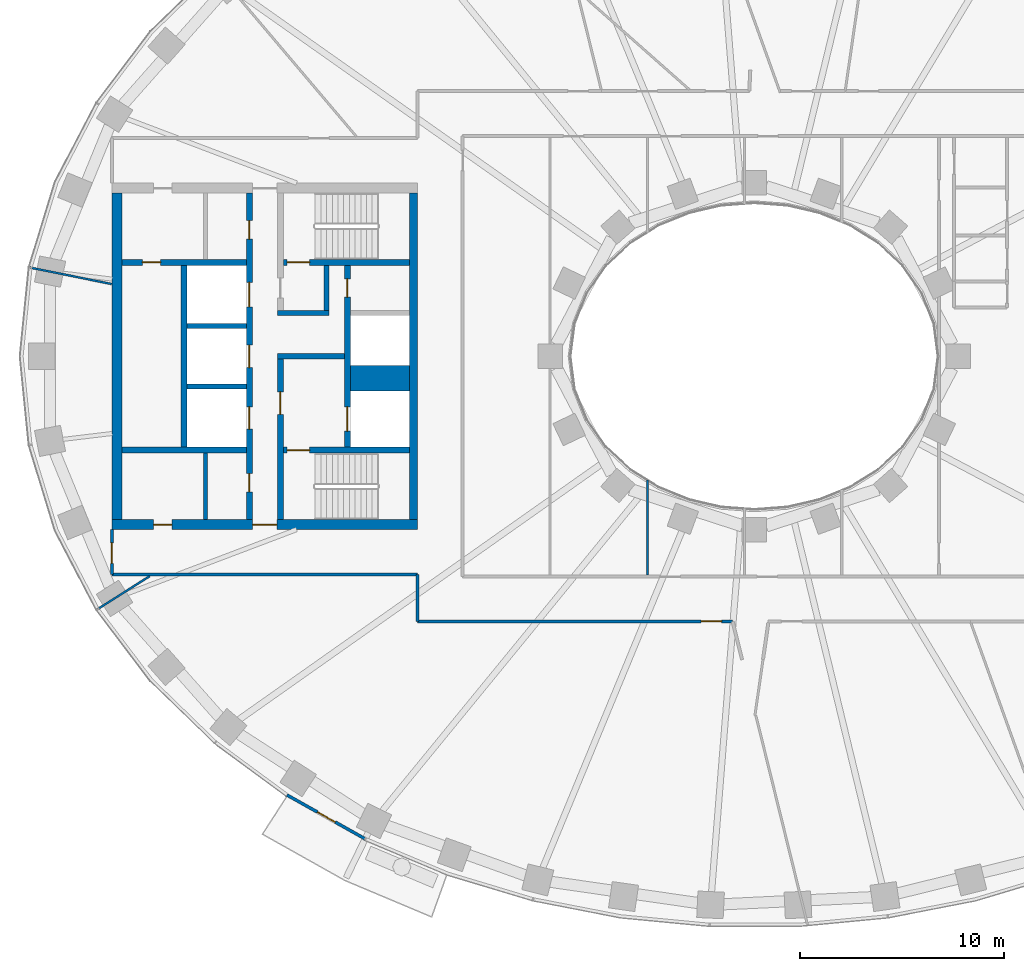
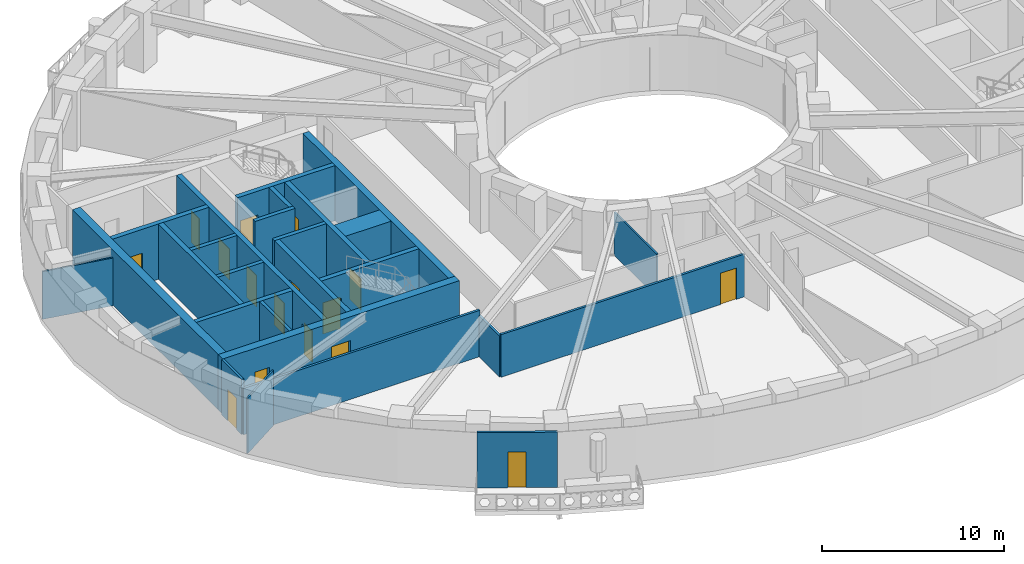
# One storey, part 3 of 15: 26 walls, 16 doors, 16 openings.
"""IFC4 building model written with IfcOpenShell, lengths in metres."""

from ifc_helpers import new_model, si_unit, direction, frame, frame_2d, origin, place, context, subcontext, project, spatial, rectangle, extrude, material, layer, layer_set, type_object, element, fill, save


model = new_model("IFC4")

# Units and contexts
model_context = context("Model", 3, precision=1e-05, world=origin(), true_north=direction((0.0, 1.0)))
body_context = subcontext(model_context, "Body", "Model", "MODEL_VIEW")
ifc_project = project(units=[si_unit("LENGTHUNIT", "METRE"), si_unit("AREAUNIT", "SQUARE_METRE"), si_unit("VOLUMEUNIT", "CUBIC_METRE"), si_unit("PLANEANGLEUNIT", "RADIAN"), si_unit("MASSUNIT", "GRAM", prefix="KILO")], contexts=[model_context])

# Site, building, storey
site_placement = place(None, origin())
site = spatial("IfcSite", under=ifc_project, at=site_placement, CompositionType="ELEMENT")
building_placement = place(site_placement, origin())
building = spatial("IfcBuilding", under=site, at=building_placement, Name="Noorbagh Ring Tower", CompositionType="ELEMENT")
storey_placement = place(building_placement, frame((0.0, 0.0, 104.0)))
storey = spatial("IfcBuildingStorey", under=building, at=storey_placement, Name="L23", CompositionType="ELEMENT", Elevation=104.0)

# Walls
ifc_material_1 = material(Name="Gypsum board on steel studs", Category="steel")
ifc_layer_1 = layer(ifc_material_1, 0.199951171875)
ifc_layer_set_1 = layer_set([ifc_layer_1], Name="Gypsum board on steel studs")
wall_type_1 = type_object("IfcWallType", Name="CORE-PARTITION-200", PredefinedType="PARTITIONING", material=ifc_layer_set_1)
wall_1_placement = place(storey_placement, frame((-26.89990234375, -8.0, 0.0), z_axis=(0.0, 0.0, 1.0), x_axis=(0.0, 1.0, 0.0)))
element("IfcWall", 1, at=wall_1_placement, inside=storey, type_object=wall_type_1, Name="Core partition W", PredefinedType="PARTITIONING", context=body_context, shape_type="SweptSolid", body=[
    extrude(rectangle(XDim=3.25, YDim=0.199951171875, at=frame_2d((1.625, 0.0))), origin(), (0.0, 0.0, 1.0), 3.699951171875),
])
ifc_material_2 = material(Name="Concrete C70/85", Category="concrete")
ifc_layer_2 = layer(ifc_material_2, 1.25)
ifc_layer_set_2 = layer_set([ifc_layer_2], Name="Concrete C70/85")
wall_type_2 = type_object("IfcWallType", Name="CORE-WALL-1250-C70-85-EI120", PredefinedType="SHEAR", material=ifc_layer_set_2)
wall_2_placement = place(storey_placement, frame((-16.89990234375, -1.074951171875, 0.0), z_axis=(0.0, 0.0, 1.0), x_axis=(-1.0, 0.0, 0.0)))
element("IfcWall", 2, at=wall_2_placement, inside=storey, type_object=wall_type_2, Name="Core wall W", PredefinedType="SHEAR", context=body_context, shape_type="SweptSolid", body=[
    extrude(rectangle(XDim=2.900146484375, YDim=1.25, at=frame_2d((1.4501953125, 0.0))), origin(), (0.0, 0.0, 1.0), 3.699951171875),
])
ifc_material_3 = material(Name="Concrete C70/85", Category="concrete")
ifc_layer_3 = layer(ifc_material_3, 0.25)
ifc_layer_set_3 = layer_set([ifc_layer_3], Name="Concrete C70/85")
wall_type_3 = type_object("IfcWallType", Name="CORE-WALL-250-C70-85-EI120", PredefinedType="SHEAR", material=ifc_layer_set_3)
for number, where, z_axis, x_axis, name in (
    (3, (-24.89990234375, -1.47509765625, 0.0), (0.0, 0.0, 1.0), (-1.0, 0.0, 0.0), "Core wall W"),
    (4, (-24.89990234375, 1.47509765625, 0.0), (0.0, 0.0, 1.0), (-1.0, 0.0, 0.0), "Core wall W"),
):
    element("IfcWall", number, at=place(storey_placement, frame(where, z_axis=z_axis, x_axis=x_axis)), inside=storey, type_object=wall_type_3, Name=name, PredefinedType="SHEAR", context=body_context, shape_type="SweptSolid", body=[
        extrude(rectangle(XDim=2.900146484375, YDim=0.25, at=frame_2d((1.4501953125, 0.0))), origin(), (0.0, 0.0, 1.0), 3.699951171875),
    ])
ifc_material_4 = material(Name="Concrete C70/85", Category="concrete")
ifc_layer_4 = layer(ifc_material_4, 0.25)
ifc_layer_set_4 = layer_set([ifc_layer_4], Name="Concrete C70/85")
wall_type_4 = type_object("IfcWallType", Name="CORE-WALL-250-C70-85-EI240", PredefinedType="SHEAR", material=ifc_layer_set_4)
wall_3_placement = place(storey_placement, frame((-20.10009765625, 0.0, 0.0), z_axis=(0.0, 0.0, 1.0), x_axis=(-1.0, 0.0, 0.0)))
element("IfcWall", 5, at=wall_3_placement, inside=storey, type_object=wall_type_4, Name="Core wall W", PredefinedType="SHEAR", context=body_context, shape_type="SweptSolid", body=[
    extrude(rectangle(XDim=3.27978515625, YDim=0.25, at=frame_2d((1.639892578125, 0.0))), origin(), (0.0, 0.0, 1.0), 3.699951171875),
])
wall_4_placement = place(storey_placement, frame((-20.85009765625, 2.125, 0.0), z_axis=(0.0, 0.0, 1.0), x_axis=(-1.0, 0.0, 0.0)))
element("IfcWall", 6, at=wall_4_placement, inside=storey, type_object=wall_type_4, Name="Core wall W", PredefinedType="SHEAR", context=body_context, shape_type="SweptSolid", body=[
    extrude(rectangle(XDim=2.52978515625, YDim=0.25, at=frame_2d((1.264892578125, 0.0))), origin(), (0.0, 0.0, 1.0), 3.699951171875),
])
wall_5_placement = place(storey_placement, frame((-20.97509765625, 2.25, 0.0), z_axis=(0.0, 0.0, 1.0), x_axis=(0.0, 1.0, 0.0)))
element("IfcWall", 7, at=wall_5_placement, inside=storey, type_object=wall_type_4, Name="Core wall W", PredefinedType="SHEAR", context=body_context, shape_type="SweptSolid", body=[
    extrude(rectangle(XDim=2.199951171875, YDim=0.25, at=frame_2d((1.10009765625, 0.0))), origin(), (0.0, 0.0, 1.0), 3.699951171875),
])
ifc_material_5 = material(Name="Concrete C70/85", Category="concrete")
ifc_layer_5 = layer(ifc_material_5, 0.300048828125)
ifc_layer_set_5 = layer_set([ifc_layer_5], Name="Concrete C70/85")
wall_type_5 = type_object("IfcWallType", Name="CORE-WALL-300-C70-85-EI120", PredefinedType="SHEAR", material=ifc_layer_set_5)
wall_6_placement = place(storey_placement, frame((-27.949951171875, -4.449951171875, 0.0), z_axis=(0.0, 0.0, 1.0), x_axis=(0.0, 1.0, 0.0)))
element("IfcWall", 8, at=wall_6_placement, inside=storey, type_object=wall_type_5, Name="Core wall W", PredefinedType="SHEAR", context=body_context, shape_type="SweptSolid", body=[
    extrude(rectangle(XDim=8.89990234375, YDim=0.300048828125, at=frame_2d((4.449951171875, 0.0))), origin(), (0.0, 0.0, 1.0), 3.699951171875),
])

# Wall, openings, doors
wall_7_placement = place(storey_placement, frame((-19.949951171875, -4.449951171875, 0.0), z_axis=(0.0, 0.0, 1.0), x_axis=(0.0, 1.0, 0.0)))
wall_7 = element("IfcWall", 9, at=wall_7_placement, inside=storey, type_object=wall_type_5, Name="Core wall W", PredefinedType="SHEAR", context=body_context, shape_type="SweptSolid", body=[
    extrude(rectangle(XDim=8.89990234375, YDim=0.300048828125, at=frame_2d((4.449951171875, 0.0))), origin(), (0.0, 0.0, 1.0), 3.699951171875),
])
opening_1_placement = place(wall_7_placement, frame((0.77490234375, 0.0, 0.0)))
opening_1 = element("IfcOpeningElement", 10, at=opening_1_placement, cuts=wall_7, Name="Opening L23-CW01", PredefinedType="OPENING", context=body_context, shape_type="SweptSolid", body=[
    extrude(rectangle(XDim=1.199951171875, YDim=2.10009765625, at=frame_2d((0.60009765625, 1.050048828125))), frame((0.0, 0.16015625, 0.0), z_axis=(0.0, -1.0, 0.0), x_axis=(1.0, 0.0, 0.0)), (0.0, 0.0, 1.0), 0.320068359375),
])
opening_2_placement = place(wall_7_placement, frame((7.35009765625, 0.0, 0.0)))
opening_2 = element("IfcOpeningElement", 11, at=opening_2_placement, cuts=wall_7, Name="Opening L23-CW11", PredefinedType="OPENING", context=body_context, shape_type="SweptSolid", body=[
    extrude(rectangle(XDim=0.89990234375, YDim=2.10009765625, at=frame_2d((0.449951171875, 1.050048828125))), frame((0.0, 0.16015625, 0.0), z_axis=(0.0, -1.0, 0.0), x_axis=(1.0, 0.0, 0.0)), (0.0, 0.0, 1.0), 0.320068359375),
])
ifc_material_6 = material(Name="Steel door leaf", Category="steel")
door_type_1 = type_object("IfcDoorType", Name="CORE-DOOR-DROOM", OperationType="SINGLE_SWING_LEFT", PredefinedType="DOOR", material=ifc_material_6)
door_1_placement = place(opening_2_placement, origin())
door_1 = element("IfcDoor", 12, at=door_1_placement, inside=storey, type_object=door_type_1, Name="Core room door L23-CW11", OperationType="SINGLE_SWING_LEFT", OverallHeight=2.10009765625, OverallWidth=0.89990234375, PredefinedType="DOOR", context=body_context, shape_type="SweptSolid", body=[
    extrude(rectangle(XDim=0.89990234375, YDim=2.10009765625, at=frame_2d((0.449951171875, 1.050048828125))), frame((0.0, 0.02490234375, 0.0), z_axis=(0.0, -1.0, 0.0), x_axis=(1.0, 0.0, 0.0)), (0.0, 0.0, 1.0), 0.050048828125),
])
fill(opening_2, door_1)
ifc_material_7 = material(Name="Steel door leaf", Category="steel")
door_type_2 = type_object("IfcDoorType", Name="CORE-DOOR-LDW", OperationType="DOUBLE_DOOR_SLIDING", PredefinedType="DOOR", material=ifc_material_7)
door_2_placement = place(opening_1_placement, origin())
door_2 = element("IfcDoor", 13, at=door_2_placement, inside=storey, type_object=door_type_2, Name="Landing door FF1 L23-CW01", OperationType="DOUBLE_DOOR_SLIDING", OverallHeight=2.10009765625, OverallWidth=1.199951171875, PredefinedType="DOOR", context=body_context, shape_type="SweptSolid", body=[
    extrude(rectangle(XDim=1.199951171875, YDim=2.10009765625, at=frame_2d((0.60009765625, 1.050048828125))), frame((0.0, 0.02490234375, 0.0), z_axis=(0.0, -1.0, 0.0), x_axis=(1.0, 0.0, 0.0)), (0.0, 0.0, 1.0), 0.050048828125),
])
fill(opening_1, door_2)

wall_8_placement = place(storey_placement, frame((-24.75, -8.0, 0.0), z_axis=(0.0, 0.0, 1.0), x_axis=(0.0, 1.0, 0.0)))
wall_8 = element("IfcWall", 14, at=wall_8_placement, inside=storey, type_object=wall_type_5, Name="Core wall W", PredefinedType="SHEAR", context=body_context, shape_type="SweptSolid", body=[
    extrude(rectangle(XDim=16.0, YDim=0.300048828125, at=frame_2d((8.0, 0.0))), origin(), (0.0, 0.0, 1.0), 3.699951171875),
])
opening_3_placement = place(wall_8_placement, frame((4.425048828125, 0.0, 0.0)))
opening_3 = element("IfcOpeningElement", 15, at=opening_3_placement, cuts=wall_8, Name="Opening L23-CW02", PredefinedType="OPENING", context=body_context, shape_type="SweptSolid", body=[
    extrude(rectangle(XDim=1.10009765625, YDim=2.10009765625, at=frame_2d((0.550048828125, 1.050048828125))), frame((0.0, 0.16015625, 0.0), z_axis=(0.0, -1.0, 0.0), x_axis=(1.0, 0.0, 0.0)), (0.0, 0.0, 1.0), 0.320068359375),
])
opening_4_placement = place(wall_8_placement, frame((7.449951171875, 0.0, 0.0)))
opening_4 = element("IfcOpeningElement", 16, at=opening_4_placement, cuts=wall_8, Name="Opening L23-CW03", PredefinedType="OPENING", context=body_context, shape_type="SweptSolid", body=[
    extrude(rectangle(XDim=1.10009765625, YDim=2.10009765625, at=frame_2d((0.550048828125, 1.050048828125))), frame((0.0, 0.16015625, 0.0), z_axis=(0.0, -1.0, 0.0), x_axis=(1.0, 0.0, 0.0)), (0.0, 0.0, 1.0), 0.320068359375),
])
opening_5_placement = place(wall_8_placement, frame((10.425048828125, 0.0, 0.0)))
opening_5 = element("IfcOpeningElement", 17, at=opening_5_placement, cuts=wall_8, Name="Opening L23-CW04", PredefinedType="OPENING", context=body_context, shape_type="SweptSolid", body=[
    extrude(rectangle(XDim=1.199951171875, YDim=2.10009765625, at=frame_2d((0.60009765625, 1.050048828125))), frame((0.0, 0.16015625, 0.0), z_axis=(0.0, -1.0, 0.0), x_axis=(1.0, 0.0, 0.0)), (0.0, 0.0, 1.0), 0.320068359375),
])
opening_6_placement = place(wall_8_placement, frame((13.75, 0.0, 0.0)))
opening_6 = element("IfcOpeningElement", 18, at=opening_6_placement, cuts=wall_8, Name="Opening L23-CW12", PredefinedType="OPENING", context=body_context, shape_type="SweptSolid", body=[
    extrude(rectangle(XDim=0.89990234375, YDim=2.10009765625, at=frame_2d((0.449951171875, 1.050048828125))), frame((0.0, 0.16015625, 0.0), z_axis=(0.0, -1.0, 0.0), x_axis=(1.0, 0.0, 0.0)), (0.0, 0.0, 1.0), 0.320068359375),
])
opening_7_placement = place(wall_8_placement, frame((1.35009765625, 0.0, 0.0)))
opening_7 = element("IfcOpeningElement", 19, at=opening_7_placement, cuts=wall_8, Name="Opening L23-CW14", PredefinedType="OPENING", context=body_context, shape_type="SweptSolid", body=[
    extrude(rectangle(XDim=0.89990234375, YDim=2.10009765625, at=frame_2d((0.449951171875, 1.050048828125))), frame((0.0, 0.16015625, 0.0), z_axis=(0.0, -1.0, 0.0), x_axis=(1.0, 0.0, 0.0)), (0.0, 0.0, 1.0), 0.320068359375),
])
door_3_placement = place(opening_6_placement, origin())
door_3 = element("IfcDoor", 20, at=door_3_placement, inside=storey, type_object=door_type_1, Name="Core room door L23-CW12", OperationType="SINGLE_SWING_RIGHT", OverallHeight=2.10009765625, OverallWidth=0.89990234375, PredefinedType="DOOR", context=body_context, shape_type="SweptSolid", body=[
    extrude(rectangle(XDim=0.89990234375, YDim=2.10009765625, at=frame_2d((0.449951171875, 1.050048828125))), frame((0.0, 0.02490234375, 0.0), z_axis=(0.0, -1.0, 0.0), x_axis=(1.0, 0.0, 0.0)), (0.0, 0.0, 1.0), 0.050048828125),
])
fill(opening_6, door_3)
door_4_placement = place(opening_7_placement, origin())
door_4 = element("IfcDoor", 21, at=door_4_placement, inside=storey, type_object=door_type_1, Name="Core room door L23-CW14", OperationType="SINGLE_SWING_LEFT", OverallHeight=2.10009765625, OverallWidth=0.89990234375, PredefinedType="DOOR", context=body_context, shape_type="SweptSolid", body=[
    extrude(rectangle(XDim=0.89990234375, YDim=2.10009765625, at=frame_2d((0.449951171875, 1.050048828125))), frame((0.0, 0.02490234375, 0.0), z_axis=(0.0, -1.0, 0.0), x_axis=(1.0, 0.0, 0.0)), (0.0, 0.0, 1.0), 0.050048828125),
])
fill(opening_7, door_4)
ifc_material_8 = material(Name="Steel door leaf", Category="steel")
door_type_3 = type_object("IfcDoorType", Name="CORE-DOOR-LD", OperationType="DOUBLE_DOOR_SLIDING", PredefinedType="DOOR", material=ifc_material_8)
door_5_placement = place(opening_3_placement, origin())
door_5 = element("IfcDoor", 22, at=door_5_placement, inside=storey, type_object=door_type_3, Name="Landing door LR1 L23-CW02", OperationType="DOUBLE_DOOR_SLIDING", OverallHeight=2.10009765625, OverallWidth=1.10009765625, PredefinedType="DOOR", context=body_context, shape_type="SweptSolid", body=[
    extrude(rectangle(XDim=1.10009765625, YDim=2.10009765625, at=frame_2d((0.550048828125, 1.050048828125))), frame((0.0, 0.02490234375, 0.0), z_axis=(0.0, -1.0, 0.0), x_axis=(1.0, 0.0, 0.0)), (0.0, 0.0, 1.0), 0.050048828125),
])
fill(opening_3, door_5)
door_6_placement = place(opening_4_placement, origin())
door_6 = element("IfcDoor", 23, at=door_6_placement, inside=storey, type_object=door_type_3, Name="Landing door LR2 L23-CW03", OperationType="DOUBLE_DOOR_SLIDING", OverallHeight=2.10009765625, OverallWidth=1.10009765625, PredefinedType="DOOR", context=body_context, shape_type="SweptSolid", body=[
    extrude(rectangle(XDim=1.10009765625, YDim=2.10009765625, at=frame_2d((0.550048828125, 1.050048828125))), frame((0.0, 0.02490234375, 0.0), z_axis=(0.0, -1.0, 0.0), x_axis=(1.0, 0.0, 0.0)), (0.0, 0.0, 1.0), 0.050048828125),
])
fill(opening_4, door_6)
door_7_placement = place(opening_5_placement, origin())
door_7 = element("IfcDoor", 24, at=door_7_placement, inside=storey, type_object=door_type_2, Name="Landing door SV1 L23-CW04", OperationType="DOUBLE_DOOR_SLIDING", OverallHeight=2.10009765625, OverallWidth=1.199951171875, PredefinedType="DOOR", context=body_context, shape_type="SweptSolid", body=[
    extrude(rectangle(XDim=1.199951171875, YDim=2.10009765625, at=frame_2d((0.60009765625, 1.050048828125))), frame((0.0, 0.02490234375, 0.0), z_axis=(0.0, -1.0, 0.0), x_axis=(1.0, 0.0, 0.0)), (0.0, 0.0, 1.0), 0.050048828125),
])
fill(opening_5, door_7)

# Wall, opening, door
ifc_material_9 = material(Name="Concrete C70/85", Category="concrete")
ifc_layer_6 = layer(ifc_material_9, 0.300048828125)
ifc_layer_set_6 = layer_set([ifc_layer_6], Name="Concrete C70/85")
wall_type_6 = type_object("IfcWallType", Name="CORE-WALL-300-C70-85-EI240", PredefinedType="SHEAR", material=ifc_layer_set_6)
wall_9_placement = place(storey_placement, frame((-24.89990234375, 4.60009765625, 0.0), z_axis=(0.0, 0.0, 1.0), x_axis=(-1.0, 0.0, 0.0)))
wall_9 = element("IfcWall", 25, at=wall_9_placement, inside=storey, type_object=wall_type_6, Name="Core wall W", PredefinedType="SHEAR", context=body_context, shape_type="SweptSolid", body=[
    extrude(rectangle(XDim=6.10009765625, YDim=0.300048828125, at=frame_2d((3.050048828125, 0.0))), origin(), (0.0, 0.0, 1.0), 3.699951171875),
])
opening_8_placement = place(wall_9_placement, frame((4.199951171875, 0.0, 0.0)))
opening_8 = element("IfcOpeningElement", 26, at=opening_8_placement, cuts=wall_9, Name="Opening L23-CW16", PredefinedType="OPENING", context=body_context, shape_type="SweptSolid", body=[
    extrude(rectangle(XDim=0.89990234375, YDim=2.10009765625, at=frame_2d((0.449951171875, 1.050048828125))), frame((0.0, 0.16015625, 0.0), z_axis=(0.0, -1.0, 0.0), x_axis=(1.0, 0.0, 0.0)), (0.0, 0.0, 1.0), 0.320068359375),
])
door_8_placement = place(opening_8_placement, origin())
door_8 = element("IfcDoor", 27, at=door_8_placement, inside=storey, type_object=door_type_1, Name="Core room door L23-CW16", OperationType="SINGLE_SWING_LEFT", OverallHeight=2.10009765625, OverallWidth=0.89990234375, PredefinedType="DOOR", context=body_context, shape_type="SweptSolid", body=[
    extrude(rectangle(XDim=0.89990234375, YDim=2.10009765625, at=frame_2d((0.449951171875, 1.050048828125))), frame((0.0, 0.02490234375, 0.0), z_axis=(0.0, -1.0, 0.0), x_axis=(1.0, 0.0, 0.0)), (0.0, 0.0, 1.0), 0.050048828125),
])
fill(opening_8, door_8)

# Wall
wall_10_placement = place(storey_placement, frame((-24.89990234375, -4.60009765625, 0.0), z_axis=(0.0, 0.0, 1.0), x_axis=(-1.0, 0.0, 0.0)))
element("IfcWall", 28, at=wall_10_placement, inside=storey, type_object=wall_type_6, Name="Core wall W", PredefinedType="SHEAR", context=body_context, shape_type="SweptSolid", body=[
    extrude(rectangle(XDim=6.10009765625, YDim=0.300048828125, at=frame_2d((3.050048828125, 0.0))), origin(), (0.0, 0.0, 1.0), 3.699951171875),
])

# Wall, opening, door
wall_11_placement = place(storey_placement, frame((-23.22998046875, -8.0, 0.0), z_axis=(0.0, 0.0, 1.0), x_axis=(0.0, 1.0, 0.0)))
wall_11 = element("IfcWall", 29, at=wall_11_placement, inside=storey, type_object=wall_type_6, Name="Core wall W", PredefinedType="SHEAR", context=body_context, shape_type="SweptSolid", body=[
    extrude(rectangle(XDim=7.875, YDim=0.300048828125, at=frame_2d((3.9375, 0.0))), origin(), (0.0, 0.0, 1.0), 3.699951171875),
])
opening_9_placement = place(wall_11_placement, frame((5.14990234375, 0.0, 0.0)))
opening_9 = element("IfcOpeningElement", 30, at=opening_9_placement, cuts=wall_11, Name="Opening L23-CW07", PredefinedType="OPENING", context=body_context, shape_type="SweptSolid", body=[
    extrude(rectangle(XDim=1.10009765625, YDim=2.10009765625, at=frame_2d((0.550048828125, 1.050048828125))), frame((0.0, 0.16015625, 0.0), z_axis=(0.0, -1.0, 0.0), x_axis=(1.0, 0.0, 0.0)), (0.0, 0.0, 1.0), 0.320068359375),
])
ifc_material_10 = material(Name="Steel door leaf", Category="steel")
door_type_4 = type_object("IfcDoorType", Name="CORE-DOOR-DFF", OperationType="SINGLE_SWING_LEFT", PredefinedType="DOOR", material=ifc_material_10)
door_9_placement = place(opening_9_placement, origin())
door_9 = element("IfcDoor", 31, at=door_9_placement, inside=storey, type_object=door_type_4, Name="Firefighting lobby door L23-CW07", OperationType="SINGLE_SWING_LEFT", OverallHeight=2.10009765625, OverallWidth=1.10009765625, PredefinedType="DOOR", context=body_context, shape_type="SweptSolid", body=[
    extrude(rectangle(XDim=1.10009765625, YDim=2.10009765625, at=frame_2d((0.550048828125, 1.050048828125))), frame((0.0, 0.02490234375, 0.0), z_axis=(0.0, -1.0, 0.0), x_axis=(1.0, 0.0, 0.0)), (0.0, 0.0, 1.0), 0.050048828125),
])
fill(opening_9, door_9)

wall_12_placement = place(storey_placement, frame((-16.89990234375, 4.60009765625, 0.0), z_axis=(0.0, 0.0, 1.0), x_axis=(-1.0, 0.0, 0.0)))
wall_12 = element("IfcWall", 32, at=wall_12_placement, inside=storey, type_object=wall_type_6, Name="Core wall W", PredefinedType="SHEAR", context=body_context, shape_type="SweptSolid", body=[
    extrude(rectangle(XDim=6.18017578125, YDim=0.300048828125, at=frame_2d((3.090087890625, 0.0))), origin(), (0.0, 0.0, 1.0), 3.699951171875),
])
opening_10_placement = place(wall_12_placement, frame((4.89990234375, 0.0, 0.0)))
opening_10 = element("IfcOpeningElement", 33, at=opening_10_placement, cuts=wall_12, Name="Opening L23-CW05", PredefinedType="OPENING", context=body_context, shape_type="SweptSolid", body=[
    extrude(rectangle(XDim=1.10009765625, YDim=2.10009765625, at=frame_2d((0.550048828125, 1.050048828125))), frame((0.0, 0.16015625, 0.0), z_axis=(0.0, -1.0, 0.0), x_axis=(1.0, 0.0, 0.0)), (0.0, 0.0, 1.0), 0.320068359375),
])
ifc_material_11 = material(Name="Steel door leaf", Category="steel")
door_type_5 = type_object("IfcDoorType", Name="CORE-DOOR-DSTAIR", OperationType="SINGLE_SWING_LEFT", PredefinedType="DOOR", material=ifc_material_11)
door_10_placement = place(opening_10_placement, origin())
door_10 = element("IfcDoor", 34, at=door_10_placement, inside=storey, type_object=door_type_5, Name="Stair door ST1 L23-CW05", OperationType="SINGLE_SWING_RIGHT", OverallHeight=2.10009765625, OverallWidth=1.10009765625, PredefinedType="DOOR", context=body_context, shape_type="SweptSolid", body=[
    extrude(rectangle(XDim=1.10009765625, YDim=2.10009765625, at=frame_2d((0.550048828125, 1.050048828125))), frame((0.0, 0.02490234375, 0.0), z_axis=(0.0, -1.0, 0.0), x_axis=(1.0, 0.0, 0.0)), (0.0, 0.0, 1.0), 0.050048828125),
])
fill(opening_10, door_10)

wall_13_placement = place(storey_placement, frame((-16.89990234375, -4.60009765625, 0.0), z_axis=(0.0, 0.0, 1.0), x_axis=(-1.0, 0.0, 0.0)))
wall_13 = element("IfcWall", 35, at=wall_13_placement, inside=storey, type_object=wall_type_6, Name="Core wall W", PredefinedType="SHEAR", context=body_context, shape_type="SweptSolid", body=[
    extrude(rectangle(XDim=6.18017578125, YDim=0.300048828125, at=frame_2d((3.090087890625, 0.0))), origin(), (0.0, 0.0, 1.0), 3.699951171875),
])
opening_11_placement = place(wall_13_placement, frame((4.89990234375, 0.0, 0.0)))
opening_11 = element("IfcOpeningElement", 36, at=opening_11_placement, cuts=wall_13, Name="Opening L23-CW06", PredefinedType="OPENING", context=body_context, shape_type="SweptSolid", body=[
    extrude(rectangle(XDim=1.10009765625, YDim=2.10009765625, at=frame_2d((0.550048828125, 1.050048828125))), frame((0.0, 0.16015625, 0.0), z_axis=(0.0, -1.0, 0.0), x_axis=(1.0, 0.0, 0.0)), (0.0, 0.0, 1.0), 0.320068359375),
])
door_11_placement = place(opening_11_placement, origin())
door_11 = element("IfcDoor", 37, at=door_11_placement, inside=storey, type_object=door_type_5, Name="Stair door ST2 L23-CW06", OperationType="SINGLE_SWING_LEFT", OverallHeight=2.10009765625, OverallWidth=1.10009765625, PredefinedType="DOOR", context=body_context, shape_type="SweptSolid", body=[
    extrude(rectangle(XDim=1.10009765625, YDim=2.10009765625, at=frame_2d((0.550048828125, 1.050048828125))), frame((0.0, 0.02490234375, 0.0), z_axis=(0.0, -1.0, 0.0), x_axis=(1.0, 0.0, 0.0)), (0.0, 0.0, 1.0), 0.050048828125),
])
fill(opening_11, door_11)

# Wall
ifc_material_12 = material(Name="Concrete C70/85", Category="concrete")
ifc_layer_7 = layer(ifc_material_12, 0.39990234375)
ifc_layer_set_7 = layer_set([ifc_layer_7], Name="Concrete C70/85")
wall_type_7 = type_object("IfcWallType", Name="CORE-WALL-400-C70-85-EI240", PredefinedType="SHEAR", material=ifc_layer_set_7)
wall_14_placement = place(storey_placement, frame((-16.699951171875, -8.0, 0.0), z_axis=(0.0, 0.0, 1.0), x_axis=(0.0, 1.0, 0.0)))
element("IfcWall", 38, at=wall_14_placement, inside=storey, type_object=wall_type_7, Name="Core wall W", PredefinedType="SHEAR", context=body_context, shape_type="SweptSolid", body=[
    extrude(rectangle(XDim=16.0, YDim=0.39990234375, at=frame_2d((8.0, 0.0))), origin(), (0.0, 0.0, 1.0), 3.699951171875),
])

# Wall, openings, doors
ifc_material_13 = material(Name="Concrete C70/85", Category="concrete")
ifc_layer_8 = layer(ifc_material_13, 0.5)
ifc_layer_set_8 = layer_set([ifc_layer_8], Name="Concrete C70/85")
wall_type_8 = type_object("IfcWallType", Name="CORE-WALL-500-C70-85-EI240", PredefinedType="SHEAR", material=ifc_layer_set_8)
wall_15_placement = place(storey_placement, frame((-16.5, -8.25, 0.0), z_axis=(0.0, 0.0, 1.0), x_axis=(-1.0, 0.0, 0.0)))
wall_15 = element("IfcWall", 39, at=wall_15_placement, inside=storey, type_object=wall_type_8, Name="Core wall W", PredefinedType="SHEAR", context=body_context, shape_type="SweptSolid", body=[
    extrude(rectangle(XDim=15.0, YDim=0.5, at=frame_2d((7.5, 0.0))), origin(), (0.0, 0.0, 1.0), 3.699951171875),
])
opening_12_placement = place(wall_15_placement, frame((6.89990234375, 0.0, 0.0)))
opening_12 = element("IfcOpeningElement", 40, at=opening_12_placement, cuts=wall_15, Name="Opening L23-CW10", PredefinedType="OPENING", context=body_context, shape_type="SweptSolid", body=[
    extrude(rectangle(XDim=1.199951171875, YDim=2.10009765625, at=frame_2d((0.60009765625, 1.050048828125))), frame((0.0, 0.260009765625, 0.0), z_axis=(0.0, -1.0, 0.0), x_axis=(1.0, 0.0, 0.0)), (0.0, 0.0, 1.0), 0.52001953125),
])
opening_13_placement = place(wall_15_placement, frame((12.050048828125, 0.0, 0.0)))
opening_13 = element("IfcOpeningElement", 41, at=opening_13_placement, cuts=wall_15, Name="Opening L23-CW15", PredefinedType="OPENING", context=body_context, shape_type="SweptSolid", body=[
    extrude(rectangle(XDim=0.89990234375, YDim=2.10009765625, at=frame_2d((0.449951171875, 1.050048828125))), frame((0.0, 0.260009765625, 0.0), z_axis=(0.0, -1.0, 0.0), x_axis=(1.0, 0.0, 0.0)), (0.0, 0.0, 1.0), 0.52001953125),
])
door_12_placement = place(opening_13_placement, origin())
door_12 = element("IfcDoor", 42, at=door_12_placement, inside=storey, type_object=door_type_1, Name="Core room door L23-CW15", OperationType="SINGLE_SWING_LEFT", OverallHeight=2.10009765625, OverallWidth=0.89990234375, PredefinedType="DOOR", context=body_context, shape_type="SweptSolid", body=[
    extrude(rectangle(XDim=0.89990234375, YDim=2.10009765625, at=frame_2d((0.449951171875, 1.050048828125))), frame((0.0, 0.02490234375, 0.0), z_axis=(0.0, -1.0, 0.0), x_axis=(1.0, 0.0, 0.0)), (0.0, 0.0, 1.0), 0.050048828125),
])
fill(opening_13, door_12)
ifc_material_14 = material(Name="Steel door leaf", Category="steel")
door_type_6 = type_object("IfcDoorType", Name="CORE-DOOR-PORT", OperationType="DOUBLE_DOOR_DOUBLE_SWING", PredefinedType="DOOR", material=ifc_material_14)
door_13_placement = place(opening_12_placement, origin())
door_13 = element("IfcDoor", 43, at=door_13_placement, inside=storey, type_object=door_type_6, Name="Core entrance door L23-CW10", OperationType="DOUBLE_DOOR_DOUBLE_SWING", OverallHeight=2.10009765625, OverallWidth=1.199951171875, PredefinedType="DOOR", context=body_context, shape_type="SweptSolid", body=[
    extrude(rectangle(XDim=1.199951171875, YDim=2.10009765625, at=frame_2d((0.60009765625, 1.050048828125))), frame((0.0, 0.02490234375, 0.0), z_axis=(0.0, -1.0, 0.0), x_axis=(1.0, 0.0, 0.0)), (0.0, 0.0, 1.0), 0.050048828125),
])
fill(opening_12, door_13)

# Wall
wall_16_placement = place(storey_placement, frame((-31.25, -8.0, 0.0), z_axis=(0.0, 0.0, 1.0), x_axis=(0.0, 1.0, 0.0)))
element("IfcWall", 44, at=wall_16_placement, inside=storey, type_object=wall_type_8, Name="Core wall W", PredefinedType="SHEAR", context=body_context, shape_type="SweptSolid", body=[
    extrude(rectangle(XDim=16.0, YDim=0.5, at=frame_2d((8.0, 0.0))), origin(), (0.0, 0.0, 1.0), 3.699951171875),
])

# Wall, opening, door
ifc_material_15 = material(Name="Gypsum board on steel studs", Category="steel")
ifc_layer_9 = layer(ifc_material_15, 0.14990234375)
ifc_layer_set_9 = layer_set([ifc_layer_9], Name="Gypsum board on steel studs")
wall_type_9 = type_object("IfcWallType", Name="CORRIDOR PARTITION 150 EI 30", PredefinedType="PARTITIONING", material=ifc_layer_set_9)
wall_17_placement = place(storey_placement, frame((-31.5, -10.699951171875, 0.0), z_axis=(0.0, 0.0, 1.0), x_axis=(0.0, 1.0, 0.0)))
wall_17 = element("IfcWall", 45, at=wall_17_placement, inside=storey, type_object=wall_type_9, Name="L23/wall/P03", PredefinedType="PARTITIONING", context=body_context, shape_type="SweptSolid", body=[
    extrude(rectangle(XDim=2.199951171875, YDim=0.14990234375, at=frame_2d((1.10009765625, 0.0))), origin(), (0.0, 0.0, 1.0), 3.699951171875),
])
opening_14_placement = place(wall_17_placement, frame((0.550048828125, 0.0, 0.0)))
opening_14 = element("IfcOpeningElement", 46, at=opening_14_placement, cuts=wall_17, Name="Opening D1", PredefinedType="OPENING", context=body_context, shape_type="SweptSolid", body=[
    extrude(rectangle(XDim=1.0, YDim=2.10009765625, at=frame_2d((0.5, 1.050048828125))), frame((0.0, 0.0849609375, 0.0), z_axis=(0.0, -1.0, 0.0), x_axis=(1.0, 0.0, 0.0)), (0.0, 0.0, 1.0), 0.169921875),
])
ifc_material_16 = material(Name="Timber, painted", Category="wood")
door_type_7 = type_object("IfcDoorType", Name="DOOR 1000 X 2100 FD30", OperationType="SINGLE_SWING_LEFT", PredefinedType="DOOR", material=ifc_material_16)
door_14_placement = place(opening_14_placement, origin())
door_14 = element("IfcDoor", 47, at=door_14_placement, inside=storey, type_object=door_type_7, Name="L23-D06", OperationType="SINGLE_SWING_RIGHT", OverallHeight=2.10009765625, OverallWidth=1.0, PredefinedType="DOOR", context=body_context, shape_type="SweptSolid", body=[
    extrude(rectangle(XDim=1.0, YDim=2.10009765625, at=frame_2d((0.5, 1.050048828125))), frame((0.0, 0.02490234375, 0.0), z_axis=(0.0, -1.0, 0.0), x_axis=(1.0, 0.0, 0.0)), (0.0, 0.0, 1.0), 0.050048828125),
])
fill(opening_14, door_14)

# Walls
wall_18_placement = place(storey_placement, frame((-31.5, -10.699951171875, 0.0), z_axis=(0.0, 0.0, 1.0), x_axis=(1.0, 0.0, 0.0)))
element("IfcWall", 48, at=wall_18_placement, inside=storey, type_object=wall_type_9, Name="L23/wall/P04", PredefinedType="PARTITIONING", context=body_context, shape_type="SweptSolid", body=[
    extrude(rectangle(XDim=15.0, YDim=0.14990234375, at=frame_2d((7.5, 0.0))), origin(), (0.0, 0.0, 1.0), 3.10009765625),
])
wall_19_placement = place(storey_placement, frame((-16.5, -13.0, 0.0), z_axis=(0.0, 0.0, 1.0), x_axis=(0.0, 1.0, 0.0)))
element("IfcWall", 49, at=wall_19_placement, inside=storey, type_object=wall_type_9, Name="L23/wall/P08", PredefinedType="PARTITIONING", context=body_context, shape_type="SweptSolid", body=[
    extrude(rectangle(XDim=2.300048828125, YDim=0.14990234375, at=frame_2d((1.14990234375, 0.0))), origin(), (0.0, 0.0, 1.0), 2.75),
])

# Wall, opening, door
wall_20_placement = place(storey_placement, frame((-16.5, -13.0, 0.0), z_axis=(0.0, 0.0, 1.0), x_axis=(1.0, 0.0, 0.0)))
wall_20 = element("IfcWall", 50, at=wall_20_placement, inside=storey, type_object=wall_type_9, Name="L23/wall/P09", PredefinedType="PARTITIONING", context=body_context, shape_type="SweptSolid", body=[
    extrude(rectangle(XDim=15.43896484375, YDim=0.14990234375, at=frame_2d((7.719482421875, 0.0))), origin(), (0.0, 0.0, 1.0), 2.85009765625),
])
opening_15_placement = place(wall_20_placement, frame((13.89990234375, 0.0, 0.0)))
opening_15 = element("IfcOpeningElement", 51, at=opening_15_placement, cuts=wall_20, Name="Opening D1", PredefinedType="OPENING", context=body_context, shape_type="SweptSolid", body=[
    extrude(rectangle(XDim=1.0, YDim=2.10009765625, at=frame_2d((0.5, 1.050048828125))), frame((0.0, 0.0849609375, 0.0), z_axis=(0.0, -1.0, 0.0), x_axis=(1.0, 0.0, 0.0)), (0.0, 0.0, 1.0), 0.169921875),
])
door_15_placement = place(opening_15_placement, origin())
door_15 = element("IfcDoor", 52, at=door_15_placement, inside=storey, type_object=door_type_7, Name="L23-D08", OperationType="SINGLE_SWING_RIGHT", OverallHeight=2.10009765625, OverallWidth=1.0, PredefinedType="DOOR", context=body_context, shape_type="SweptSolid", body=[
    extrude(rectangle(XDim=1.0, YDim=2.10009765625, at=frame_2d((0.5, 1.050048828125))), frame((0.0, 0.02490234375, 0.0), z_axis=(0.0, -1.0, 0.0), x_axis=(1.0, 0.0, 0.0)), (0.0, 0.0, 1.0), 0.050048828125),
])
fill(opening_15, door_15)

ifc_material_17 = material(Name="Insulated aluminium clad panel", Category="aluminium")
ifc_layer_10 = layer(ifc_material_17, 0.14990234375)
ifc_layer_set_10 = layer_set([ifc_layer_10], Name="Insulated aluminium clad panel")
wall_type_10 = type_object("IfcWallType", Name="ENV-WALL-DOOR", PredefinedType="STANDARD", material=ifc_layer_set_10)
wall_21_placement = place(storey_placement, frame((-22.913330078125, -21.508544921875, 0.0), z_axis=(0.0, 0.0, 1.0), x_axis=(0.872046572975, -0.489422899509, 0.0)))
wall_21 = element("IfcWall", 53, at=wall_21_placement, inside=storey, type_object=wall_type_10, Name="Balcony door wall chord 30", PredefinedType="STANDARD", context=body_context, shape_type="SweptSolid", body=[
    extrude(rectangle(XDim=4.425537109375, YDim=0.14990234375, at=frame_2d((2.212890625, 0.0))), origin(), (0.0, 0.0, 1.0), 3.699951171875),
])
opening_16_placement = place(wall_21_placement, frame((1.712646484375, 0.0, 0.0)))
opening_16 = element("IfcOpeningElement", 54, at=opening_16_placement, cuts=wall_21, Name="Opening D-BL", PredefinedType="OPENING", context=body_context, shape_type="SweptSolid", body=[
    extrude(rectangle(XDim=1.0, YDim=2.39990234375, at=frame_2d((0.5, 1.199951171875))), frame((0.0, 0.0849609375, 0.0), z_axis=(0.0, -1.0, 0.0), x_axis=(1.0, 0.0, 0.0)), (0.0, 0.0, 1.0), 0.169921875),
])
ifc_material_18 = material(Name="Aluminium and glass", Category="aluminium")
door_type_8 = type_object("IfcDoorType", Name="ENV-DOOR-BALCONY", OperationType="SINGLE_SWING_LEFT", PredefinedType="DOOR", material=ifc_material_18)
door_16_placement = place(opening_16_placement, origin())
door_16 = element("IfcDoor", 55, at=door_16_placement, inside=storey, type_object=door_type_8, Name="Balcony door chord 30", OperationType="SINGLE_SWING_RIGHT", OverallHeight=2.39990234375, OverallWidth=1.0, PredefinedType="DOOR", context=body_context, shape_type="SweptSolid", body=[
    extrude(rectangle(XDim=1.0, YDim=2.39990234375, at=frame_2d((0.5, 1.199951171875))), frame((0.0, 0.02490234375, 0.0), z_axis=(0.0, -1.0, 0.0), x_axis=(1.0, 0.0, 0.0)), (0.0, 0.0, 1.0), 0.050048828125),
])
fill(opening_16, door_16)

# Walls
ifc_material_19 = material(Name="Gypsum board on steel studs", Category="steel")
ifc_layer_11 = layer(ifc_material_19, 0.10009765625)
ifc_layer_set_11 = layer_set([ifc_layer_11], Name="Gypsum board on steel studs")
wall_type_11 = type_object("IfcWallType", Name="PARTITION 100 GYPSUM", PredefinedType="PARTITIONING", material=ifc_layer_set_11)
wall_22_placement = place(storey_placement, frame((-35.511962890625, 4.34912109375, 0.0), z_axis=(0.0, 0.0, 1.0), x_axis=(0.980357474535, -0.197228857227, 0.0)))
element("IfcWall", 56, at=wall_22_placement, inside=storey, type_object=wall_type_11, Name="L23/wall/P01", PredefinedType="PARTITIONING", context=body_context, shape_type="SweptSolid", body=[
    extrude(rectangle(XDim=4.09228515625, YDim=0.10009765625, at=frame_2d((2.046142578125, 0.0))), origin(), (0.0, 0.0, 1.0), 3.199951171875),
])
wall_23_placement = place(storey_placement, frame((-32.2119140625, -12.407958984375, 0.0), z_axis=(0.0, 0.0, 1.0), x_axis=(0.844810627195, 0.535065420467, 0.0)))
element("IfcWall", 57, at=wall_23_placement, inside=storey, type_object=wall_type_11, Name="L23/wall/P02", PredefinedType="PARTITIONING", context=body_context, shape_type="SweptSolid", body=[
    extrude(rectangle(XDim=3.0478515625, YDim=0.10009765625, at=frame_2d((1.52392578125, 0.0))), origin(), (0.0, 0.0, 1.0), 3.699951171875),
])
wall_24_placement = place(storey_placement, frame((-5.242919921875, -10.72509765625, 0.0), z_axis=(0.0, 0.0, 1.0), x_axis=(0.0, 1.0, 0.0)))
element("IfcWall", 58, at=wall_24_placement, inside=storey, type_object=wall_type_11, Name="L23/wall/P19", PredefinedType="PARTITIONING", context=body_context, shape_type="SweptSolid", body=[
    extrude(rectangle(XDim=4.666015625, YDim=0.10009765625, at=frame_2d((2.3330078125, 0.0))), origin(), (0.0, 0.0, 1.0), 2.89990234375),
])

save(model, "model.ifc")
